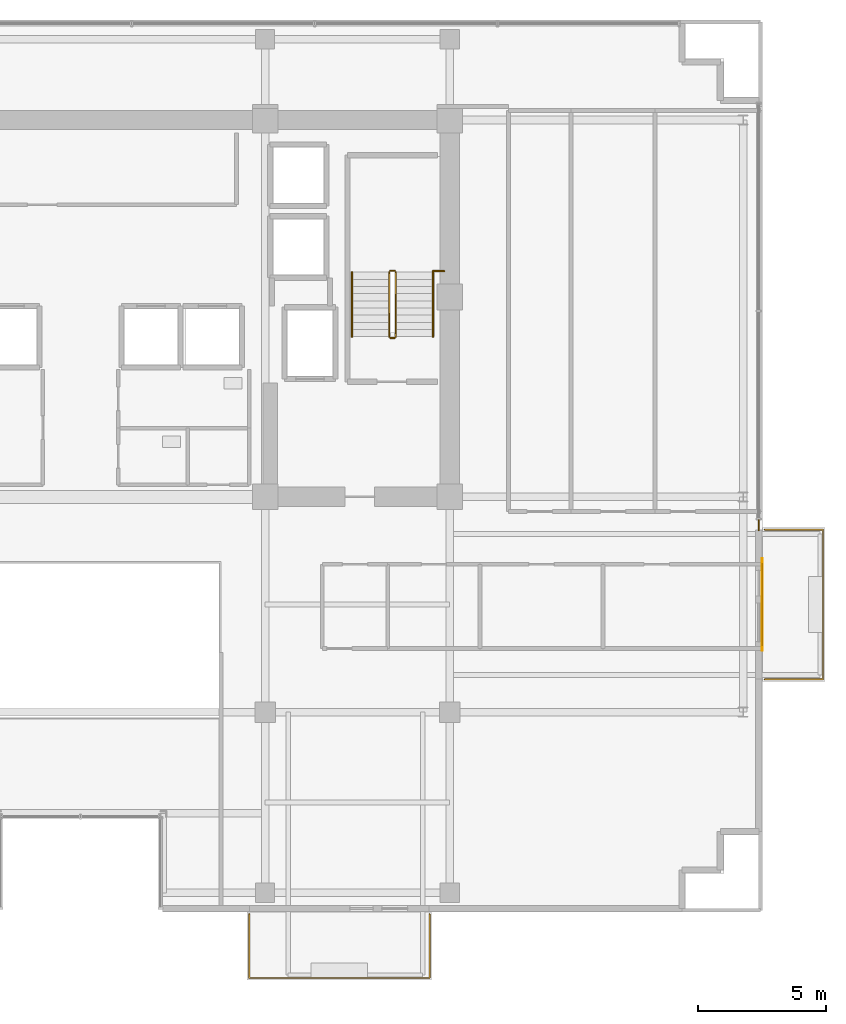
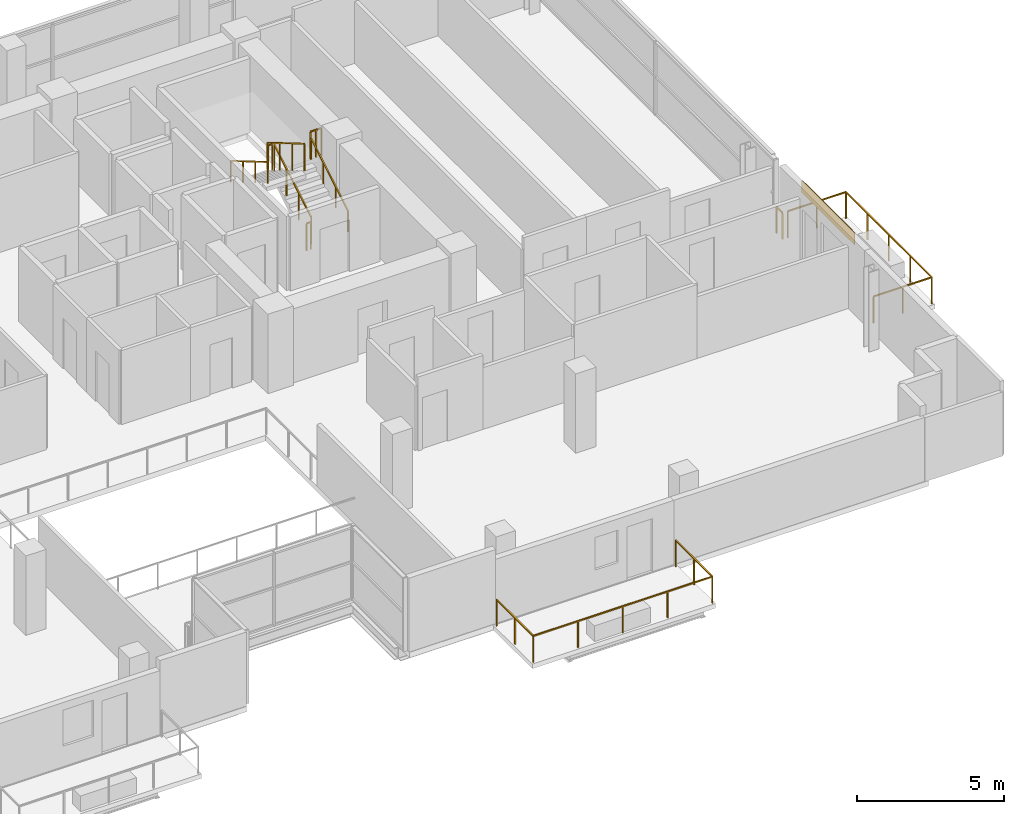
# One storey, part 20 of 21: 10 railings, 1 covering, 1 shading device.
"""IFC4 building model written with IfcOpenShell, lengths in metres."""

from ifc_helpers import new_model, si_unit, direction, frame, origin, origin_2d, place, context, subcontext, project, spatial, rectangle, extrude, source, transform, mapped, material, layer, layer_set, type_object, element, save


model = new_model("IFC4")

# Units and contexts
model_context = context("Model", 3, precision=1e-05, world=origin(), true_north=direction((0.0, 1.0)))
body_context = subcontext(model_context, "Body", "Model", "MODEL_VIEW")
ifc_project = project(units=[si_unit("LENGTHUNIT", "METRE"), si_unit("AREAUNIT", "SQUARE_METRE"), si_unit("VOLUMEUNIT", "CUBIC_METRE"), si_unit("PLANEANGLEUNIT", "RADIAN"), si_unit("MASSUNIT", "GRAM", prefix="KILO")], contexts=[model_context])

# Site, building, storey
site_placement = place(None, origin())
site = spatial("IfcSite", under=ifc_project, at=site_placement, CompositionType="ELEMENT")
building_placement = place(site_placement, origin())
building = spatial("IfcBuilding", under=site, at=building_placement, Name="Zarnakvel Exchange Tower", CompositionType="ELEMENT")
storey_placement = place(building_placement, frame((0.0, 0.0, 182.5)))
storey = spatial("IfcBuildingStorey", under=building, at=storey_placement, Name="L51", CompositionType="ELEMENT", Elevation=182.5)

# Railings
ifc_material_1 = material(Name="Architectural Bronze Anodised Aluminium", Category="aluminium")
railing_type_1 = type_object("IfcRailingType", Name="GR-02", PredefinedType="GUARDRAIL", material=ifc_material_1)
railing_1_placement = place(storey_placement, frame((6.580078125, -17.47998046875, -0.034912109375)))
element("IfcRailing", 1, at=railing_1_placement, inside=storey, type_object=railing_type_1, Name="L51 Balcony Guardrail BAL-L51-SE", PredefinedType="GUARDRAIL", context=body_context, shape_type="SweptSolid", body=[
    extrude(rectangle(XDim=0.048095703125, YDim=0.048095703125, at=origin_2d()), frame((0.0, 0.0, 1.09619140625), z_axis=(0.0, -1.0, 0.0), x_axis=(1.0, 0.0, 0.0)), (0.0, 0.0, 1.0), 2.489990234375),
    extrude(rectangle(XDim=0.048095703125, YDim=0.048095703125, at=origin_2d()), frame((0.0, -2.489990234375, 1.09619140625), z_axis=(1.0, 0.0, 0.0), x_axis=(0.0, 1.0, 0.0)), (0.0, 0.0, 1.0), 7.0400390625),
    extrude(rectangle(XDim=0.048095703125, YDim=0.048095703125, at=origin_2d()), frame((7.0400390625, -2.489990234375, 1.09619140625), z_axis=(0.0, 1.0, 0.0), x_axis=(-1.0, 0.0, 0.0)), (0.0, 0.0, 1.0), 2.489990234375),
    extrude(rectangle(XDim=0.0419921875, YDim=0.0419921875, at=origin_2d()), origin(), (0.0, 0.0, 1.0), 1.072021484375),
    extrude(rectangle(XDim=0.0419921875, YDim=0.0419921875, at=origin_2d()), frame((0.0, -1.2451171875, 0.0)), (0.0, 0.0, 1.0), 1.072021484375),
    extrude(rectangle(XDim=0.0419921875, YDim=0.0419921875, at=origin_2d()), frame((0.0, -2.489990234375, 0.0)), (0.0, 0.0, 1.0), 1.072021484375),
    extrude(rectangle(XDim=0.0419921875, YDim=0.0419921875, at=origin_2d()), frame((1.760009765625, -2.489990234375, 0.0)), (0.0, 0.0, 1.0), 1.072021484375),
    extrude(rectangle(XDim=0.0419921875, YDim=0.0419921875, at=origin_2d()), frame((3.52001953125, -2.489990234375, 0.0)), (0.0, 0.0, 1.0), 1.072021484375),
    extrude(rectangle(XDim=0.0419921875, YDim=0.0419921875, at=origin_2d()), frame((5.280029296875, -2.489990234375, 0.0)), (0.0, 0.0, 1.0), 1.072021484375),
    extrude(rectangle(XDim=0.0419921875, YDim=0.0419921875, at=origin_2d()), frame((7.0400390625, -2.489990234375, 0.0)), (0.0, 0.0, 1.0), 1.072021484375),
    extrude(rectangle(XDim=0.0419921875, YDim=0.0419921875, at=origin_2d()), frame((7.0400390625, -1.2451171875, 0.0)), (0.0, 0.0, 1.0), 1.072021484375),
    extrude(rectangle(XDim=0.0419921875, YDim=0.0419921875, at=origin_2d()), frame((7.0400390625, 0.0, 0.0)), (0.0, 0.0, 1.0), 1.072021484375),
])
railing_2_placement = place(storey_placement, frame((26.679931640625, -8.320068359375, -0.034912109375)))
element("IfcRailing", 2, at=railing_2_placement, inside=storey, type_object=railing_type_1, Name="L51 Balcony Guardrail BAL-L51-E", PredefinedType="GUARDRAIL", context=body_context, shape_type="SweptSolid", body=[
    extrude(rectangle(XDim=0.048095703125, YDim=0.048095703125, at=origin_2d()), frame((0.0, 0.0, 1.09619140625), z_axis=(1.0, 0.0, 0.0), x_axis=(0.0, 1.0, 0.0)), (0.0, 0.0, 1.0), 2.2900390625),
    extrude(rectangle(XDim=0.048095703125, YDim=0.048095703125, at=origin_2d()), frame((2.2900390625, 0.0, 1.09619140625), z_axis=(0.0, 1.0, 0.0), x_axis=(-1.0, 0.0, 0.0)), (0.0, 0.0, 1.0), 5.840087890625),
    extrude(rectangle(XDim=0.048095703125, YDim=0.048095703125, at=origin_2d()), frame((2.2900390625, 5.840087890625, 1.09619140625), z_axis=(-1.0, 0.0, 0.0), x_axis=(0.0, -1.0, 0.0)), (0.0, 0.0, 1.0), 2.2900390625),
    extrude(rectangle(XDim=0.0419921875, YDim=0.0419921875, at=origin_2d()), origin(), (0.0, 0.0, 1.0), 1.072021484375),
    extrude(rectangle(XDim=0.0419921875, YDim=0.0419921875, at=origin_2d()), frame((1.14501953125, 0.0, 0.0)), (0.0, 0.0, 1.0), 1.072021484375),
    extrude(rectangle(XDim=0.0419921875, YDim=0.0419921875, at=origin_2d()), frame((2.2900390625, 0.0, 0.0)), (0.0, 0.0, 1.0), 1.072021484375),
    extrude(rectangle(XDim=0.0419921875, YDim=0.0419921875, at=origin_2d()), frame((2.2900390625, 1.4599609375, 0.0)), (0.0, 0.0, 1.0), 1.072021484375),
    extrude(rectangle(XDim=0.0419921875, YDim=0.0419921875, at=origin_2d()), frame((2.2900390625, 2.919921875, 0.0)), (0.0, 0.0, 1.0), 1.072021484375),
    extrude(rectangle(XDim=0.0419921875, YDim=0.0419921875, at=origin_2d()), frame((2.2900390625, 4.380126953125, 0.0)), (0.0, 0.0, 1.0), 1.072021484375),
    extrude(rectangle(XDim=0.0419921875, YDim=0.0419921875, at=origin_2d()), frame((2.2900390625, 5.840087890625, 0.0)), (0.0, 0.0, 1.0), 1.072021484375),
    extrude(rectangle(XDim=0.0419921875, YDim=0.0419921875, at=origin_2d()), frame((1.14501953125, 5.840087890625, 0.0)), (0.0, 0.0, 1.0), 1.072021484375),
    extrude(rectangle(XDim=0.0419921875, YDim=0.0419921875, at=origin_2d()), frame((0.0, 5.840087890625, 0.0)), (0.0, 0.0, 1.0), 1.072021484375),
])
railing_3_placement = place(storey_placement, frame((26.4599609375, -2.10009765625, 0.0)))
element("IfcRailing", 3, at=railing_3_placement, inside=storey, type_object=railing_type_1, Name="L51 Corner Spandrel Balustrade #9", PredefinedType="GUARDRAIL", context=body_context, shape_type="SweptSolid", body=[
    extrude(rectangle(XDim=0.048095703125, YDim=0.048095703125, at=origin_2d()), frame((0.0, 0.0, 1.09619140625), z_axis=(0.0, -1.0, 0.0), x_axis=(1.0, 0.0, 0.0)), (0.0, 0.0, 1.0), 0.39990234375),
    extrude(rectangle(XDim=0.0419921875, YDim=0.0419921875, at=origin_2d()), origin(), (0.0, 0.0, 1.0), 1.072021484375),
    extrude(rectangle(XDim=0.0419921875, YDim=0.0419921875, at=origin_2d()), frame((0.0, -0.39990234375, 0.0)), (0.0, 0.0, 1.0), 1.072021484375),
])
ifc_material_2 = material(Name="Brushed Stainless Steel", Category="steel")
railing_type_2 = type_object("IfcRailingType", Name="HR-01", PredefinedType="HANDRAIL", material=ifc_material_2)
railing_4_placement = place(storey_placement, frame((13.75, 5.050048828125, 0.1650390625)))
element("IfcRailing", 4, at=railing_4_placement, inside=storey, type_object=railing_type_2, Name="L51 ST-02 stair handrail 1", PredefinedType="HANDRAIL", context=body_context, shape_type="SweptSolid", body=[
    extrude(rectangle(XDim=0.048095703125, YDim=0.048095703125, at=origin_2d()), frame((0.0, 0.0, 0.8759765625), z_axis=(0.0, 0.861560626758, 0.507654692109), x_axis=(-1.0, 0.0, 0.0)), (0.0, 0.0, 1.0), 2.925048828125),
    extrude(rectangle(XDim=0.0419921875, YDim=0.0419921875, at=origin_2d()), origin(), (0.0, 0.0, 1.0), 0.851806640625),
    extrude(rectangle(XDim=0.0419921875, YDim=0.0419921875, at=origin_2d()), frame((0.0, 0.840087890625, 0.494873046875)), (0.0, 0.0, 1.0), 0.851806640625),
    extrude(rectangle(XDim=0.0419921875, YDim=0.0419921875, at=origin_2d()), frame((0.0, 1.679931640625, 0.989990234375)), (0.0, 0.0, 1.0), 0.851806640625),
    extrude(rectangle(XDim=0.0419921875, YDim=0.0419921875, at=origin_2d()), frame((0.0, 2.52001953125, 1.48486328125)), (0.0, 0.0, 1.0), 0.851806640625),
])
railing_5_placement = place(storey_placement, frame((10.590087890625, 7.570068359375, 1.81494140625)))
element("IfcRailing", 5, at=railing_5_placement, inside=storey, type_object=railing_type_2, Name="L51 ST-02 stair handrail 2", PredefinedType="HANDRAIL", context=body_context, shape_type="SweptSolid", body=[
    extrude(rectangle(XDim=0.048095703125, YDim=0.048095703125, at=origin_2d()), frame((0.0, 0.0, 0.8759765625), z_axis=(0.0, -0.86152411907, 0.507716645641), x_axis=(1.0, 0.0, 0.0)), (0.0, 0.0, 1.0), 2.925048828125),
    extrude(rectangle(XDim=0.0419921875, YDim=0.0419921875, at=origin_2d()), origin(), (0.0, 0.0, 1.0), 0.851806640625),
    extrude(rectangle(XDim=0.0419921875, YDim=0.0419921875, at=origin_2d()), frame((0.0, -0.840087890625, 0.4951171875)), (0.0, 0.0, 1.0), 0.851806640625),
    extrude(rectangle(XDim=0.0419921875, YDim=0.0419921875, at=origin_2d()), frame((0.0, -1.679931640625, 0.989990234375)), (0.0, 0.0, 1.0), 0.851806640625),
    extrude(rectangle(XDim=0.0419921875, YDim=0.0419921875, at=origin_2d()), frame((0.0, -2.52001953125, 1.485107421875)), (0.0, 0.0, 1.0), 0.851806640625),
])
railing_type_3 = type_object("IfcRailingType", Name="SG-01", PredefinedType="GUARDRAIL", material=ifc_material_1)
railing_6_placement = place(storey_placement, frame((12.300048828125, 5.050048828125, 0.1650390625)))
element("IfcRailing", 6, at=railing_6_placement, inside=storey, type_object=railing_type_3, Name="L51 ST-02 stair guard 1", PredefinedType="GUARDRAIL", context=body_context, shape_type="SweptSolid", body=[
    extrude(rectangle(XDim=0.048095703125, YDim=0.048095703125, at=origin_2d()), frame((0.0, 0.0, 1.1259765625), z_axis=(0.0, 0.861560626758, 0.507654692109), x_axis=(-1.0, 0.0, 0.0)), (0.0, 0.0, 1.0), 2.925048828125),
    extrude(rectangle(XDim=0.0419921875, YDim=0.0419921875, at=origin_2d()), origin(), (0.0, 0.0, 1.0), 1.101806640625),
    extrude(rectangle(XDim=0.0419921875, YDim=0.0419921875, at=origin_2d()), frame((0.0, 0.840087890625, 0.494873046875)), (0.0, 0.0, 1.0), 1.101806640625),
    extrude(rectangle(XDim=0.0419921875, YDim=0.0419921875, at=origin_2d()), frame((0.0, 1.679931640625, 0.989990234375)), (0.0, 0.0, 1.0), 1.101806640625),
    extrude(rectangle(XDim=0.0419921875, YDim=0.0419921875, at=origin_2d()), frame((0.0, 2.52001953125, 1.48486328125)), (0.0, 0.0, 1.0), 1.101806640625),
])
railing_7_placement = place(storey_placement, frame((12.25, 7.6201171875, 1.64990234375)))
element("IfcRailing", 7, at=railing_7_placement, inside=storey, type_object=railing_type_3, Name="L51 ST-02 stair guard 2", PredefinedType="GUARDRAIL", context=body_context, shape_type="SweptSolid", body=[
    extrude(rectangle(XDim=0.048095703125, YDim=0.048095703125, at=origin_2d()), frame((0.0, 0.0, 1.1259765625), z_axis=(-1.0, 0.0, 0.0), x_axis=(0.0, -1.0, 0.0)), (0.0, 0.0, 1.0), 0.159912109375),
    extrude(rectangle(XDim=0.0419921875, YDim=0.0419921875, at=origin_2d()), origin(), (0.0, 0.0, 1.0), 1.101806640625),
    extrude(rectangle(XDim=0.0419921875, YDim=0.0419921875, at=origin_2d()), frame((-0.159912109375, 0.0, 0.0)), (0.0, 0.0, 1.0), 1.101806640625),
])
railing_8_placement = place(storey_placement, frame((12.0400390625, 7.570068359375, 1.81494140625)))
element("IfcRailing", 8, at=railing_8_placement, inside=storey, type_object=railing_type_3, Name="L51 ST-02 stair guard 3", PredefinedType="GUARDRAIL", context=body_context, shape_type="SweptSolid", body=[
    extrude(rectangle(XDim=0.048095703125, YDim=0.048095703125, at=origin_2d()), frame((0.0, 0.0, 1.1259765625), z_axis=(0.0, -0.86152411907, 0.507716645641), x_axis=(1.0, 0.0, 0.0)), (0.0, 0.0, 1.0), 2.925048828125),
    extrude(rectangle(XDim=0.0419921875, YDim=0.0419921875, at=origin_2d()), origin(), (0.0, 0.0, 1.0), 1.101806640625),
    extrude(rectangle(XDim=0.0419921875, YDim=0.0419921875, at=origin_2d()), frame((0.0, -0.840087890625, 0.4951171875)), (0.0, 0.0, 1.0), 1.101806640625),
    extrude(rectangle(XDim=0.0419921875, YDim=0.0419921875, at=origin_2d()), frame((0.0, -1.679931640625, 0.989990234375)), (0.0, 0.0, 1.0), 1.101806640625),
    extrude(rectangle(XDim=0.0419921875, YDim=0.0419921875, at=origin_2d()), frame((0.0, -2.52001953125, 1.485107421875)), (0.0, 0.0, 1.0), 1.101806640625),
])
railing_9_placement = place(storey_placement, frame((12.25, 5.0, 0.0)))
element("IfcRailing", 9, at=railing_9_placement, inside=storey, type_object=railing_type_3, Name="L51 ST-02 stair guard 4", PredefinedType="GUARDRAIL", context=body_context, shape_type="SweptSolid", body=[
    extrude(rectangle(XDim=0.048095703125, YDim=0.048095703125, at=origin_2d()), frame((0.0, 0.0, 1.1259765625), z_axis=(-1.0, 0.0, 0.0), x_axis=(0.0, -1.0, 0.0)), (0.0, 0.0, 1.0), 0.159912109375),
    extrude(rectangle(XDim=0.0419921875, YDim=0.0419921875, at=origin_2d()), origin(), (0.0, 0.0, 1.0), 1.101806640625),
    extrude(rectangle(XDim=0.0419921875, YDim=0.0419921875, at=origin_2d()), frame((-0.159912109375, 0.0, 0.0)), (0.0, 0.0, 1.0), 1.101806640625),
])
railing_10_placement = place(storey_placement, frame((13.75, 7.610107421875, 1.64990234375)))
element("IfcRailing", 10, at=railing_10_placement, inside=storey, type_object=railing_type_3, Name="L51 ST-02 Landing Slot Guardrail", PredefinedType="GUARDRAIL", context=body_context, shape_type="SweptSolid", body=[
    extrude(rectangle(XDim=0.048095703125, YDim=0.048095703125, at=origin_2d()), frame((0.0, 0.0, 1.1259765625), z_axis=(1.0, 0.0, 0.0), x_axis=(0.0, 1.0, 0.0)), (0.0, 0.0, 1.0), 0.429931640625),
    extrude(rectangle(XDim=0.0419921875, YDim=0.0419921875, at=origin_2d()), origin(), (0.0, 0.0, 1.0), 1.101806640625),
    extrude(rectangle(XDim=0.0419921875, YDim=0.0419921875, at=origin_2d()), frame((0.21484375, 0.0, 0.0)), (0.0, 0.0, 1.0), 1.101806640625),
    extrude(rectangle(XDim=0.0419921875, YDim=0.0419921875, at=origin_2d()), frame((0.429931640625, 0.0, 0.0)), (0.0, 0.0, 1.0), 1.101806640625),
])

# Shading device
ifc_material_3 = material(Name="Perforated Architectural Bronze Screen", Category="aluminium")
ifc_layer_1 = layer(ifc_material_3, 0.044921875)
ifc_layer_set_1 = layer_set([ifc_layer_1], Name="Perforated Architectural Bronze Screen")
shading_device_type = type_object("IfcShadingDeviceType", Name="SS-01", PredefinedType="JALOUSIE", material=ifc_layer_set_1)
shared_shape_1 = source(origin(), body_context, "Body", "SweptSolid", [
    extrude(rectangle(XDim=3.199951171875, YDim=0.044921875, at=origin_2d()), origin(), (0.0, 0.0, 1.0), 0.4951171875),
])
shading_device_placement = place(storey_placement, frame((26.6005859375, -5.39990234375, 2.56005859375), z_axis=(0.0, 0.0, 1.0), x_axis=(0.0, -1.0, 0.0)))
element("IfcShadingDevice", 11, at=shading_device_placement, inside=storey, type_object=shading_device_type, Name="L51 Bronze Solar Shading Screen SS-01", PredefinedType="JALOUSIE", context=body_context, shape_type="MappedRepresentation", body=[
    mapped(shared_shape_1, transform((0.0, 0.0, 0.0), x_axis=(1.0, 0.0, 0.0), y_axis=(0.0, 1.0, 0.0), z_axis=(0.0, 0.0, 1.0), scale=1.0)),
])

# Covering
ifc_material_4 = material(Name="Glazed Turquoise Ceramic Architectural Tile", Category="ceramic")
ifc_layer_2 = layer(ifc_material_4, 0.028076171875)
ifc_layer_set_2 = layer_set([ifc_layer_2], Name="Glazed Turquoise Ceramic Architectural Tile")
covering_type = type_object("IfcCoveringType", Name="CL-01", PredefinedType="CLADDING", material=ifc_layer_set_2)
shared_shape_2 = source(origin(), body_context, "Body", "SweptSolid", [
    extrude(rectangle(XDim=3.60009765625, YDim=0.028076171875, at=origin_2d()), origin(), (0.0, 0.0, 1.0), 0.4951171875),
])
covering_placement = place(storey_placement, frame((26.592041015625, -5.39990234375, 2.56005859375), z_axis=(0.0, 0.0, 1.0), x_axis=(0.0, -1.0, 0.0)))
element("IfcCovering", 12, at=covering_placement, inside=storey, type_object=covering_type, Name="L51 Ceramic Spandrel Tilework CL-01", PredefinedType="CLADDING", context=body_context, shape_type="MappedRepresentation", body=[
    mapped(shared_shape_2, transform((0.0, 0.0, 0.0), x_axis=(1.0, 0.0, 0.0), y_axis=(0.0, 1.0, 0.0), z_axis=(0.0, 0.0, 1.0), scale=1.0)),
])

save(model, "model.ifc")
